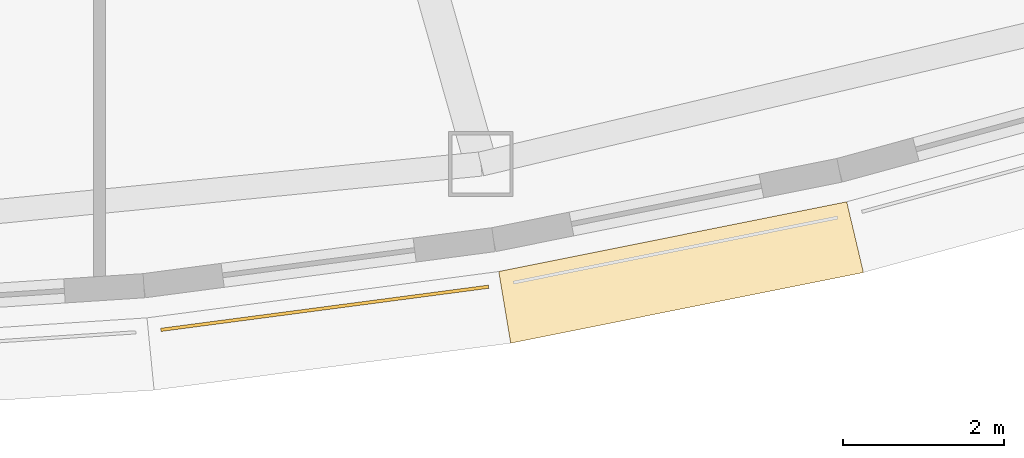
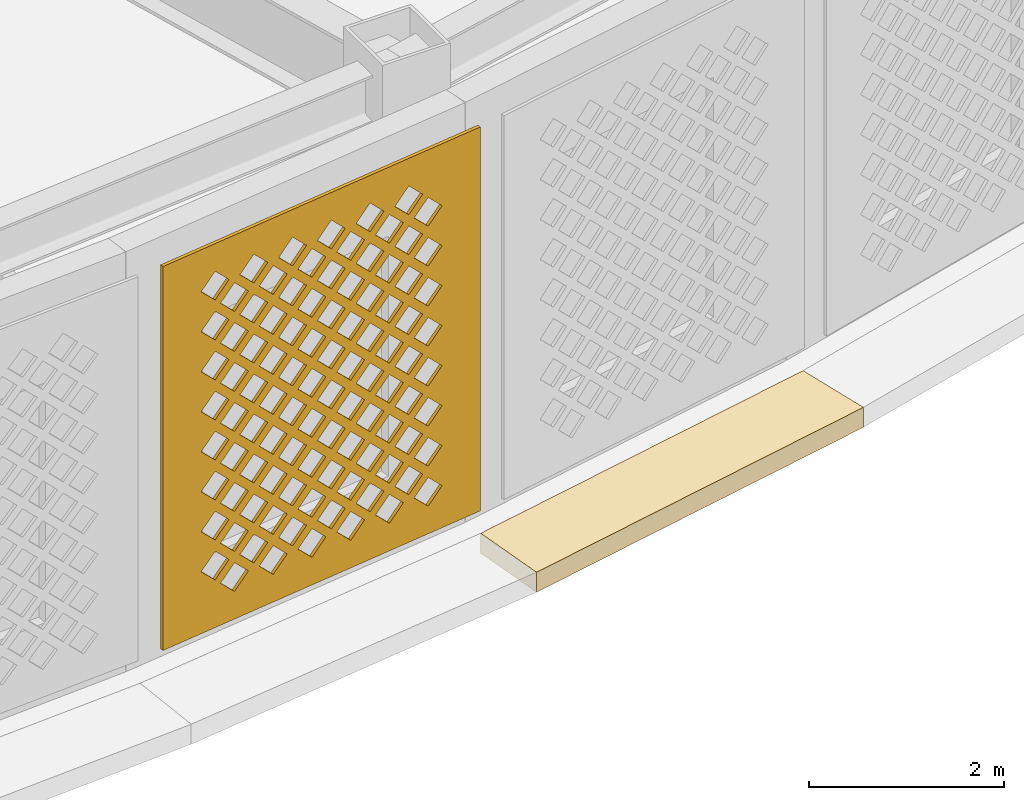
# One storey, part 54 of 69: 2 coverings.
"""IFC4 building model written with IfcOpenShell, lengths in metres."""

from ifc_helpers import new_model, si_unit, direction, frame, origin, place, context, subcontext, project, spatial, polyline, outline, extrude, material, layer, layer_set, type_object, element, save


model = new_model("IFC4")

# Units and contexts
model_context = context("Model", 3, precision=1e-05, world=origin(), true_north=direction((0.0, 1.0)))
body_context = subcontext(model_context, "Body", "Model", "MODEL_VIEW")
ifc_project = project(units=[si_unit("LENGTHUNIT", "METRE"), si_unit("AREAUNIT", "SQUARE_METRE"), si_unit("VOLUMEUNIT", "CUBIC_METRE"), si_unit("PLANEANGLEUNIT", "RADIAN"), si_unit("MASSUNIT", "GRAM", prefix="KILO")], contexts=[model_context])

# Site, building, storey
site_placement = place(None, origin())
site = spatial("IfcSite", under=ifc_project, at=site_placement, CompositionType="ELEMENT")
building_placement = place(site_placement, origin())
building = spatial("IfcBuilding", under=site, at=building_placement, Name="Noorbagh Ring Tower", CompositionType="ELEMENT")
storey_placement = place(building_placement, frame((0.0, 0.0, 19.5)))
storey = spatial("IfcBuildingStorey", under=building, at=storey_placement, Name="L03", CompositionType="ELEMENT", Elevation=19.5)

# Coverings
ifc_material_1 = material(Name="Red sandstone eave", Category="masonry")
covering_type_1 = type_object("IfcCoveringType", Name="STY-CHHAJJA", PredefinedType="USERDEFINED", material=ifc_material_1)
covering_1_placement = place(storey_placement, frame((0.0, 0.0, -0.25)))
element("IfcCovering", 1, at=covering_1_placement, inside=storey, type_object=covering_type_1, Name="Chhajja eave", ObjectType="CHHAJJA", PredefinedType="USERDEFINED", context=body_context, shape_type="SweptSolid", body=[
    extrude(outline(polyline([(10.945556640625, -39.103759765625), (15.2568359375, -38.239501953125), (15.464111328125, -39.115966796875), (11.093017578125, -39.9921875), (10.945556640625, -39.103759765625)])), origin(), (0.0, 0.0, 1.0), 0.25),
])
ifc_material_2 = material(Name="Red sandstone jali", Category="masonry")
ifc_layer = layer(ifc_material_2, 0.0400390625)
ifc_layer_set = layer_set([ifc_layer], Name="Red sandstone jali")
covering_type_2 = type_object("IfcCoveringType", Name="STY-JALI", PredefinedType="USERDEFINED", material=ifc_layer_set)
covering_2_placement = place(storey_placement, frame((6.759765625, -39.8466796875, 0.449951171875), z_axis=(0.130559329934, -0.991440498148, 0.0), x_axis=(0.991440498148, 0.130559329934, 0.0)))
element("IfcCovering", 2, at=covering_2_placement, inside=storey, type_object=covering_type_2, Name="Jali screen", ObjectType="SCREEN", PredefinedType="USERDEFINED", context=body_context, shape_type="SweptSolid", body=[
    extrude(outline(polyline([(0.0, 0.0), (4.09716796875, 0.0), (4.09716796875, 4.800048828125), (0.0, 4.800048828125), (0.0, 0.0)]), holes=[polyline([(0.743408203125, 0.52490234375), (0.923583984375, 0.344970703125), (1.103515625, 0.52490234375), (0.923583984375, 0.705078125), (0.743408203125, 0.52490234375)]), polyline([(1.243408203125, 0.52490234375), (1.423583984375, 0.344970703125), (1.603515625, 0.52490234375), (1.423583984375, 0.705078125), (1.243408203125, 0.52490234375)]), polyline([(1.743408203125, 0.52490234375), (1.923583984375, 0.344970703125), (2.103515625, 0.52490234375), (1.923583984375, 0.705078125), (1.743408203125, 0.52490234375)]), polyline([(2.243408203125, 0.52490234375), (2.423583984375, 0.344970703125), (2.603515625, 0.52490234375), (2.423583984375, 0.705078125), (2.243408203125, 0.52490234375)]), polyline([(2.743408203125, 0.52490234375), (2.923583984375, 0.344970703125), (3.103515625, 0.52490234375), (2.923583984375, 0.705078125), (2.743408203125, 0.52490234375)]), polyline([(3.243408203125, 0.52490234375), (3.423583984375, 0.344970703125), (3.603515625, 0.52490234375), (3.423583984375, 0.705078125), (3.243408203125, 0.52490234375)]), polyline([(0.493408203125, 0.77490234375), (0.673583984375, 0.594970703125), (0.853515625, 0.77490234375), (0.673583984375, 0.955078125), (0.493408203125, 0.77490234375)]), polyline([(0.993408203125, 0.77490234375), (1.173583984375, 0.594970703125), (1.353515625, 0.77490234375), (1.173583984375, 0.955078125), (0.993408203125, 0.77490234375)]), polyline([(1.493408203125, 0.77490234375), (1.673583984375, 0.594970703125), (1.853515625, 0.77490234375), (1.673583984375, 0.955078125), (1.493408203125, 0.77490234375)]), polyline([(1.993408203125, 0.77490234375), (2.173583984375, 0.594970703125), (2.353515625, 0.77490234375), (2.173583984375, 0.955078125), (1.993408203125, 0.77490234375)]), polyline([(2.493408203125, 0.77490234375), (2.673583984375, 0.594970703125), (2.853515625, 0.77490234375), (2.673583984375, 0.955078125), (2.493408203125, 0.77490234375)]), polyline([(2.993408203125, 0.77490234375), (3.173583984375, 0.594970703125), (3.353515625, 0.77490234375), (3.173583984375, 0.955078125), (2.993408203125, 0.77490234375)]), polyline([(0.743408203125, 1.02490234375), (0.923583984375, 0.844970703125), (1.103515625, 1.02490234375), (0.923583984375, 1.205078125), (0.743408203125, 1.02490234375)]), polyline([(1.243408203125, 1.02490234375), (1.423583984375, 0.844970703125), (1.603515625, 1.02490234375), (1.423583984375, 1.205078125), (1.243408203125, 1.02490234375)]), polyline([(1.743408203125, 1.02490234375), (1.923583984375, 0.844970703125), (2.103515625, 1.02490234375), (1.923583984375, 1.205078125), (1.743408203125, 1.02490234375)]), polyline([(2.243408203125, 1.02490234375), (2.423583984375, 0.844970703125), (2.603515625, 1.02490234375), (2.423583984375, 1.205078125), (2.243408203125, 1.02490234375)]), polyline([(2.743408203125, 1.02490234375), (2.923583984375, 0.844970703125), (3.103515625, 1.02490234375), (2.923583984375, 1.205078125), (2.743408203125, 1.02490234375)]), polyline([(3.243408203125, 1.02490234375), (3.423583984375, 0.844970703125), (3.603515625, 1.02490234375), (3.423583984375, 1.205078125), (3.243408203125, 1.02490234375)]), polyline([(0.493408203125, 1.27490234375), (0.673583984375, 1.094970703125), (0.853515625, 1.27490234375), (0.673583984375, 1.455078125), (0.493408203125, 1.27490234375)]), polyline([(0.993408203125, 1.27490234375), (1.173583984375, 1.094970703125), (1.353515625, 1.27490234375), (1.173583984375, 1.455078125), (0.993408203125, 1.27490234375)]), polyline([(1.493408203125, 1.27490234375), (1.673583984375, 1.094970703125), (1.853515625, 1.27490234375), (1.673583984375, 1.455078125), (1.493408203125, 1.27490234375)]), polyline([(1.993408203125, 1.27490234375), (2.173583984375, 1.094970703125), (2.353515625, 1.27490234375), (2.173583984375, 1.455078125), (1.993408203125, 1.27490234375)]), polyline([(2.493408203125, 1.27490234375), (2.673583984375, 1.094970703125), (2.853515625, 1.27490234375), (2.673583984375, 1.455078125), (2.493408203125, 1.27490234375)]), polyline([(2.993408203125, 1.27490234375), (3.173583984375, 1.094970703125), (3.353515625, 1.27490234375), (3.173583984375, 1.455078125), (2.993408203125, 1.27490234375)]), polyline([(0.743408203125, 1.52490234375), (0.923583984375, 1.344970703125), (1.103515625, 1.52490234375), (0.923583984375, 1.705078125), (0.743408203125, 1.52490234375)]), polyline([(1.243408203125, 1.52490234375), (1.423583984375, 1.344970703125), (1.603515625, 1.52490234375), (1.423583984375, 1.705078125), (1.243408203125, 1.52490234375)]), polyline([(1.743408203125, 1.52490234375), (1.923583984375, 1.344970703125), (2.103515625, 1.52490234375), (1.923583984375, 1.705078125), (1.743408203125, 1.52490234375)]), polyline([(2.243408203125, 1.52490234375), (2.423583984375, 1.344970703125), (2.603515625, 1.52490234375), (2.423583984375, 1.705078125), (2.243408203125, 1.52490234375)]), polyline([(2.743408203125, 1.52490234375), (2.923583984375, 1.344970703125), (3.103515625, 1.52490234375), (2.923583984375, 1.705078125), (2.743408203125, 1.52490234375)]), polyline([(3.243408203125, 1.52490234375), (3.423583984375, 1.344970703125), (3.603515625, 1.52490234375), (3.423583984375, 1.705078125), (3.243408203125, 1.52490234375)]), polyline([(0.493408203125, 1.77490234375), (0.673583984375, 1.594970703125), (0.853515625, 1.77490234375), (0.673583984375, 1.955078125), (0.493408203125, 1.77490234375)]), polyline([(0.993408203125, 1.77490234375), (1.173583984375, 1.594970703125), (1.353515625, 1.77490234375), (1.173583984375, 1.955078125), (0.993408203125, 1.77490234375)]), polyline([(1.493408203125, 1.77490234375), (1.673583984375, 1.594970703125), (1.853515625, 1.77490234375), (1.673583984375, 1.955078125), (1.493408203125, 1.77490234375)]), polyline([(1.993408203125, 1.77490234375), (2.173583984375, 1.594970703125), (2.353515625, 1.77490234375), (2.173583984375, 1.955078125), (1.993408203125, 1.77490234375)]), polyline([(2.493408203125, 1.77490234375), (2.673583984375, 1.594970703125), (2.853515625, 1.77490234375), (2.673583984375, 1.955078125), (2.493408203125, 1.77490234375)]), polyline([(2.993408203125, 1.77490234375), (3.173583984375, 1.594970703125), (3.353515625, 1.77490234375), (3.173583984375, 1.955078125), (2.993408203125, 1.77490234375)]), polyline([(0.743408203125, 2.02490234375), (0.923583984375, 1.844970703125), (1.103515625, 2.02490234375), (0.923583984375, 2.205078125), (0.743408203125, 2.02490234375)]), polyline([(1.243408203125, 2.02490234375), (1.423583984375, 1.844970703125), (1.603515625, 2.02490234375), (1.423583984375, 2.205078125), (1.243408203125, 2.02490234375)]), polyline([(1.743408203125, 2.02490234375), (1.923583984375, 1.844970703125), (2.103515625, 2.02490234375), (1.923583984375, 2.205078125), (1.743408203125, 2.02490234375)]), polyline([(2.243408203125, 2.02490234375), (2.423583984375, 1.844970703125), (2.603515625, 2.02490234375), (2.423583984375, 2.205078125), (2.243408203125, 2.02490234375)]), polyline([(2.743408203125, 2.02490234375), (2.923583984375, 1.844970703125), (3.103515625, 2.02490234375), (2.923583984375, 2.205078125), (2.743408203125, 2.02490234375)]), polyline([(3.243408203125, 2.02490234375), (3.423583984375, 1.844970703125), (3.603515625, 2.02490234375), (3.423583984375, 2.205078125), (3.243408203125, 2.02490234375)]), polyline([(0.493408203125, 2.27490234375), (0.673583984375, 2.094970703125), (0.853515625, 2.27490234375), (0.673583984375, 2.455078125), (0.493408203125, 2.27490234375)]), polyline([(0.993408203125, 2.27490234375), (1.173583984375, 2.094970703125), (1.353515625, 2.27490234375), (1.173583984375, 2.455078125), (0.993408203125, 2.27490234375)]), polyline([(1.493408203125, 2.27490234375), (1.673583984375, 2.094970703125), (1.853515625, 2.27490234375), (1.673583984375, 2.455078125), (1.493408203125, 2.27490234375)]), polyline([(1.993408203125, 2.27490234375), (2.173583984375, 2.094970703125), (2.353515625, 2.27490234375), (2.173583984375, 2.455078125), (1.993408203125, 2.27490234375)]), polyline([(2.493408203125, 2.27490234375), (2.673583984375, 2.094970703125), (2.853515625, 2.27490234375), (2.673583984375, 2.455078125), (2.493408203125, 2.27490234375)]), polyline([(2.993408203125, 2.27490234375), (3.173583984375, 2.094970703125), (3.353515625, 2.27490234375), (3.173583984375, 2.455078125), (2.993408203125, 2.27490234375)]), polyline([(0.743408203125, 2.52490234375), (0.923583984375, 2.344970703125), (1.103515625, 2.52490234375), (0.923583984375, 2.705078125), (0.743408203125, 2.52490234375)]), polyline([(1.243408203125, 2.52490234375), (1.423583984375, 2.344970703125), (1.603515625, 2.52490234375), (1.423583984375, 2.705078125), (1.243408203125, 2.52490234375)]), polyline([(1.743408203125, 2.52490234375), (1.923583984375, 2.344970703125), (2.103515625, 2.52490234375), (1.923583984375, 2.705078125), (1.743408203125, 2.52490234375)]), polyline([(2.243408203125, 2.52490234375), (2.423583984375, 2.344970703125), (2.603515625, 2.52490234375), (2.423583984375, 2.705078125), (2.243408203125, 2.52490234375)]), polyline([(2.743408203125, 2.52490234375), (2.923583984375, 2.344970703125), (3.103515625, 2.52490234375), (2.923583984375, 2.705078125), (2.743408203125, 2.52490234375)]), polyline([(3.243408203125, 2.52490234375), (3.423583984375, 2.344970703125), (3.603515625, 2.52490234375), (3.423583984375, 2.705078125), (3.243408203125, 2.52490234375)]), polyline([(0.493408203125, 2.77490234375), (0.673583984375, 2.594970703125), (0.853515625, 2.77490234375), (0.673583984375, 2.955078125), (0.493408203125, 2.77490234375)]), polyline([(0.993408203125, 2.77490234375), (1.173583984375, 2.594970703125), (1.353515625, 2.77490234375), (1.173583984375, 2.955078125), (0.993408203125, 2.77490234375)]), polyline([(1.493408203125, 2.77490234375), (1.673583984375, 2.594970703125), (1.853515625, 2.77490234375), (1.673583984375, 2.955078125), (1.493408203125, 2.77490234375)]), polyline([(1.993408203125, 2.77490234375), (2.173583984375, 2.594970703125), (2.353515625, 2.77490234375), (2.173583984375, 2.955078125), (1.993408203125, 2.77490234375)]), polyline([(2.493408203125, 2.77490234375), (2.673583984375, 2.594970703125), (2.853515625, 2.77490234375), (2.673583984375, 2.955078125), (2.493408203125, 2.77490234375)]), polyline([(2.993408203125, 2.77490234375), (3.173583984375, 2.594970703125), (3.353515625, 2.77490234375), (3.173583984375, 2.955078125), (2.993408203125, 2.77490234375)]), polyline([(0.743408203125, 3.02490234375), (0.923583984375, 2.844970703125), (1.103515625, 3.02490234375), (0.923583984375, 3.205078125), (0.743408203125, 3.02490234375)]), polyline([(1.243408203125, 3.02490234375), (1.423583984375, 2.844970703125), (1.603515625, 3.02490234375), (1.423583984375, 3.205078125), (1.243408203125, 3.02490234375)]), polyline([(1.743408203125, 3.02490234375), (1.923583984375, 2.844970703125), (2.103515625, 3.02490234375), (1.923583984375, 3.205078125), (1.743408203125, 3.02490234375)]), polyline([(2.243408203125, 3.02490234375), (2.423583984375, 2.844970703125), (2.603515625, 3.02490234375), (2.423583984375, 3.205078125), (2.243408203125, 3.02490234375)]), polyline([(2.743408203125, 3.02490234375), (2.923583984375, 2.844970703125), (3.103515625, 3.02490234375), (2.923583984375, 3.205078125), (2.743408203125, 3.02490234375)]), polyline([(3.243408203125, 3.02490234375), (3.423583984375, 2.844970703125), (3.603515625, 3.02490234375), (3.423583984375, 3.205078125), (3.243408203125, 3.02490234375)]), polyline([(0.493408203125, 3.27490234375), (0.673583984375, 3.094970703125), (0.853515625, 3.27490234375), (0.673583984375, 3.455078125), (0.493408203125, 3.27490234375)]), polyline([(0.993408203125, 3.27490234375), (1.173583984375, 3.094970703125), (1.353515625, 3.27490234375), (1.173583984375, 3.455078125), (0.993408203125, 3.27490234375)]), polyline([(1.493408203125, 3.27490234375), (1.673583984375, 3.094970703125), (1.853515625, 3.27490234375), (1.673583984375, 3.455078125), (1.493408203125, 3.27490234375)]), polyline([(1.993408203125, 3.27490234375), (2.173583984375, 3.094970703125), (2.353515625, 3.27490234375), (2.173583984375, 3.455078125), (1.993408203125, 3.27490234375)]), polyline([(2.493408203125, 3.27490234375), (2.673583984375, 3.094970703125), (2.853515625, 3.27490234375), (2.673583984375, 3.455078125), (2.493408203125, 3.27490234375)]), polyline([(2.993408203125, 3.27490234375), (3.173583984375, 3.094970703125), (3.353515625, 3.27490234375), (3.173583984375, 3.455078125), (2.993408203125, 3.27490234375)]), polyline([(0.743408203125, 3.52490234375), (0.923583984375, 3.344970703125), (1.103515625, 3.52490234375), (0.923583984375, 3.705078125), (0.743408203125, 3.52490234375)]), polyline([(1.243408203125, 3.52490234375), (1.423583984375, 3.344970703125), (1.603515625, 3.52490234375), (1.423583984375, 3.705078125), (1.243408203125, 3.52490234375)]), polyline([(1.743408203125, 3.52490234375), (1.923583984375, 3.344970703125), (2.103515625, 3.52490234375), (1.923583984375, 3.705078125), (1.743408203125, 3.52490234375)]), polyline([(2.243408203125, 3.52490234375), (2.423583984375, 3.344970703125), (2.603515625, 3.52490234375), (2.423583984375, 3.705078125), (2.243408203125, 3.52490234375)]), polyline([(2.743408203125, 3.52490234375), (2.923583984375, 3.344970703125), (3.103515625, 3.52490234375), (2.923583984375, 3.705078125), (2.743408203125, 3.52490234375)]), polyline([(3.243408203125, 3.52490234375), (3.423583984375, 3.344970703125), (3.603515625, 3.52490234375), (3.423583984375, 3.705078125), (3.243408203125, 3.52490234375)]), polyline([(0.493408203125, 3.77490234375), (0.673583984375, 3.594970703125), (0.853515625, 3.77490234375), (0.673583984375, 3.955078125), (0.493408203125, 3.77490234375)]), polyline([(0.993408203125, 3.77490234375), (1.173583984375, 3.594970703125), (1.353515625, 3.77490234375), (1.173583984375, 3.955078125), (0.993408203125, 3.77490234375)]), polyline([(1.493408203125, 3.77490234375), (1.673583984375, 3.594970703125), (1.853515625, 3.77490234375), (1.673583984375, 3.955078125), (1.493408203125, 3.77490234375)]), polyline([(1.993408203125, 3.77490234375), (2.173583984375, 3.594970703125), (2.353515625, 3.77490234375), (2.173583984375, 3.955078125), (1.993408203125, 3.77490234375)]), polyline([(2.493408203125, 3.77490234375), (2.673583984375, 3.594970703125), (2.853515625, 3.77490234375), (2.673583984375, 3.955078125), (2.493408203125, 3.77490234375)]), polyline([(2.993408203125, 3.77490234375), (3.173583984375, 3.594970703125), (3.353515625, 3.77490234375), (3.173583984375, 3.955078125), (2.993408203125, 3.77490234375)]), polyline([(0.743408203125, 4.02490234375), (0.923583984375, 3.844970703125), (1.103515625, 4.02490234375), (0.923583984375, 4.205078125), (0.743408203125, 4.02490234375)]), polyline([(1.243408203125, 4.02490234375), (1.423583984375, 3.844970703125), (1.603515625, 4.02490234375), (1.423583984375, 4.205078125), (1.243408203125, 4.02490234375)]), polyline([(1.743408203125, 4.02490234375), (1.923583984375, 3.844970703125), (2.103515625, 4.02490234375), (1.923583984375, 4.205078125), (1.743408203125, 4.02490234375)]), polyline([(2.243408203125, 4.02490234375), (2.423583984375, 3.844970703125), (2.603515625, 4.02490234375), (2.423583984375, 4.205078125), (2.243408203125, 4.02490234375)]), polyline([(2.743408203125, 4.02490234375), (2.923583984375, 3.844970703125), (3.103515625, 4.02490234375), (2.923583984375, 4.205078125), (2.743408203125, 4.02490234375)]), polyline([(3.243408203125, 4.02490234375), (3.423583984375, 3.844970703125), (3.603515625, 4.02490234375), (3.423583984375, 4.205078125), (3.243408203125, 4.02490234375)]), polyline([(0.493408203125, 4.27490234375), (0.673583984375, 4.094970703125), (0.853515625, 4.27490234375), (0.673583984375, 4.455078125), (0.493408203125, 4.27490234375)]), polyline([(0.993408203125, 4.27490234375), (1.173583984375, 4.094970703125), (1.353515625, 4.27490234375), (1.173583984375, 4.455078125), (0.993408203125, 4.27490234375)]), polyline([(1.493408203125, 4.27490234375), (1.673583984375, 4.094970703125), (1.853515625, 4.27490234375), (1.673583984375, 4.455078125), (1.493408203125, 4.27490234375)]), polyline([(1.993408203125, 4.27490234375), (2.173583984375, 4.094970703125), (2.353515625, 4.27490234375), (2.173583984375, 4.455078125), (1.993408203125, 4.27490234375)]), polyline([(2.493408203125, 4.27490234375), (2.673583984375, 4.094970703125), (2.853515625, 4.27490234375), (2.673583984375, 4.455078125), (2.493408203125, 4.27490234375)]), polyline([(2.993408203125, 4.27490234375), (3.173583984375, 4.094970703125), (3.353515625, 4.27490234375), (3.173583984375, 4.455078125), (2.993408203125, 4.27490234375)])]), origin(), (0.0, 0.0, -1.0), 0.0400390625),
])

save(model, "model.ifc")
